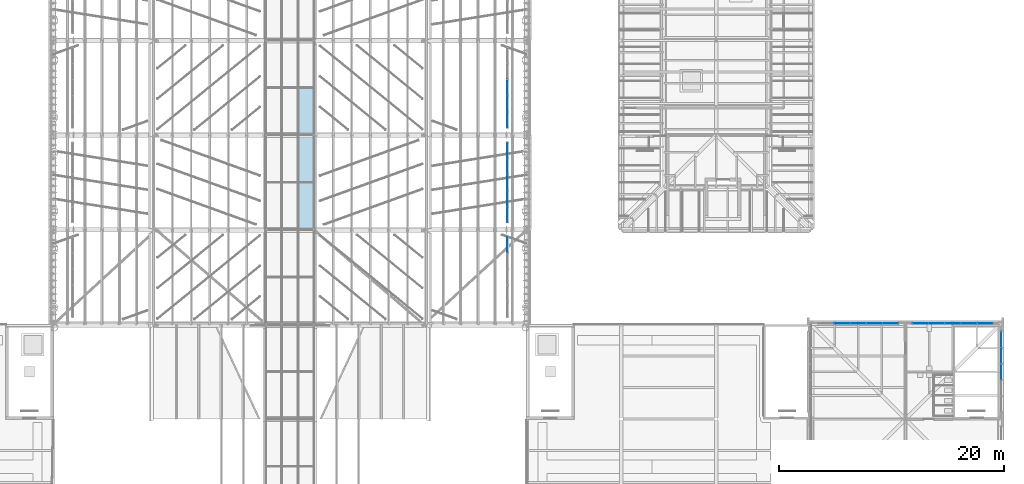
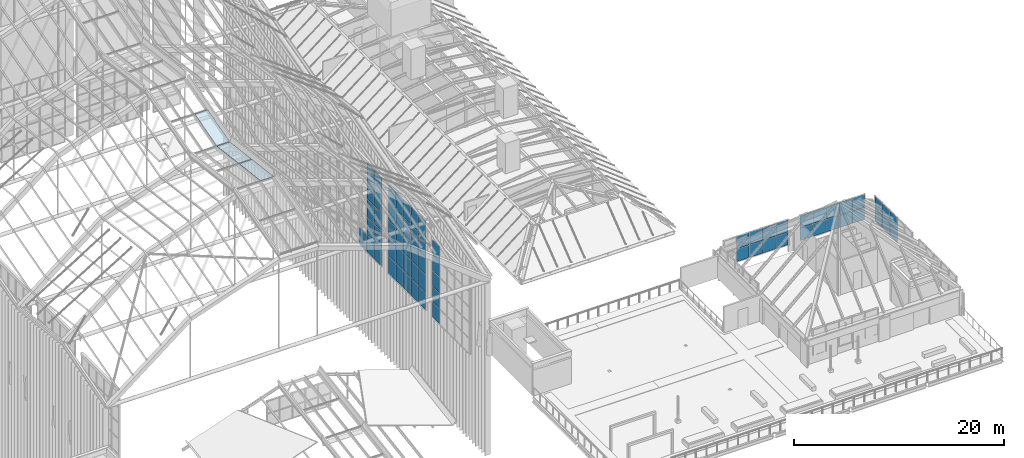
# One storey, part 74 of 126: 68 plates, 6 elements without a shape of their own.
"""IFC4 building model written with IfcOpenShell, lengths in metres."""

from ifc_helpers import new_model, si_unit, direction, frame, origin, origin_2d, place, context, subcontext, project, spatial, polyline, rectangle, outline, extrude, material, layer, layer_set, type_object, element, aggregate, save


model = new_model("IFC4")

# Units and contexts
model_context = context("Model", 3, precision=1e-05, world=origin(), true_north=direction((0.0, 1.0)))
body_context = subcontext(model_context, "Body", "Model", "MODEL_VIEW")
ifc_project = project(units=[si_unit("LENGTHUNIT", "METRE"), si_unit("AREAUNIT", "SQUARE_METRE"), si_unit("VOLUMEUNIT", "CUBIC_METRE"), si_unit("PLANEANGLEUNIT", "RADIAN"), si_unit("MASSUNIT", "GRAM", prefix="KILO")], contexts=[model_context])

# Site, building, storey
site_placement = place(None, origin())
site = spatial("IfcSite", under=ifc_project, at=site_placement, CompositionType="ELEMENT")
building_placement = place(site_placement, origin())
building = spatial("IfcBuilding", under=site, at=building_placement, Name="Sava Quay Ferry Terminal", CompositionType="ELEMENT")
storey_placement = place(building_placement, frame((0.0, 0.0, 15.0)))
storey = spatial("IfcBuildingStorey", under=building, at=storey_placement, Name="L03", CompositionType="ELEMENT", Elevation=15.0)

# Curtain wall, plates
ifc_material_1 = material(Name="Aluminium and glass curtain wall, double low-e glazed", Category="aluminium")
curtain_wall_type = type_object("IfcCurtainWallType", Name="Curtain wall CW-F flank", PredefinedType="NOTDEFINED", material=ifc_material_1)
curtain_wall_1_placement = place(storey_placement, origin())
curtain_wall_1 = element("IfcCurtainWall", 1, at=curtain_wall_1_placement, inside=storey, type_object=curtain_wall_type, Name="Curtain wall D-E L03 bay 1", PredefinedType="NOTDEFINED")
ifc_material_2 = material(Name="Laminated glass, double low-e glazed unit", Category="glass")
ifc_layer_1 = layer(ifc_material_2, 0.028076171875)
ifc_layer_set_1 = layer_set([ifc_layer_1], Name="Laminated glass, double low-e glazed unit")
plate_type_1 = type_object("IfcPlateType", Name="Glass panel 28 double low-e", PredefinedType="CURTAIN_PANEL", material=ifc_layer_set_1)
plate_1_placement = place(storey_placement, frame((82.27490234375, 57.465087890625, 0.050048828125), z_axis=(0.0, 0.0, 1.0), x_axis=(0.0, 1.0, 0.0)))
plate_1 = element("IfcPlate", 2, at=plate_1_placement, type_object=plate_type_1, Name="CW39 panel 5.1", PredefinedType="CURTAIN_PANEL", context=body_context, shape_type="SweptSolid", body=[
    extrude(rectangle(XDim=1.35009765625, YDim=0.028076171875, at=origin_2d()), origin(), (0.0, 0.0, 1.0), 1.7451171875),
])
plate_2_placement = place(storey_placement, frame((82.27490234375, 57.465087890625, 1.844970703125), z_axis=(0.0, 0.0, 1.0), x_axis=(0.0, 1.0, 0.0)))
plate_2 = element("IfcPlate", 3, at=plate_2_placement, type_object=plate_type_1, Name="CW39 panel 5.2", PredefinedType="CURTAIN_PANEL", context=body_context, shape_type="SweptSolid", body=[
    extrude(rectangle(XDim=1.35009765625, YDim=0.028076171875, at=origin_2d()), origin(), (0.0, 0.0, 1.0), 1.77001953125),
])
plate_3_placement = place(storey_placement, frame((82.27490234375, 57.465087890625, 3.6650390625), z_axis=(0.0, 0.0, 1.0), x_axis=(0.0, 1.0, 0.0)))
plate_3 = element("IfcPlate", 4, at=plate_3_placement, type_object=plate_type_1, Name="CW39 panel 5.3", PredefinedType="CURTAIN_PANEL", context=body_context, shape_type="SweptSolid", body=[
    extrude(rectangle(XDim=1.35009765625, YDim=0.028076171875, at=origin_2d()), origin(), (0.0, 0.0, 1.0), 1.77001953125),
])
plate_4_placement = place(storey_placement, frame((82.27490234375, 57.465087890625, 5.485107421875), z_axis=(0.0, 0.0, 1.0), x_axis=(0.0, 1.0, 0.0)))
plate_4 = element("IfcPlate", 5, at=plate_4_placement, type_object=plate_type_1, Name="CW39 panel 5.4", PredefinedType="CURTAIN_PANEL", context=body_context, shape_type="SweptSolid", body=[
    extrude(rectangle(XDim=1.35009765625, YDim=0.028076171875, at=origin_2d()), origin(), (0.0, 0.0, 1.0), 1.77001953125),
])
plate_5_placement = place(storey_placement, frame((82.27490234375, 57.465087890625, 7.304931640625), z_axis=(0.0, 0.0, 1.0), x_axis=(0.0, 1.0, 0.0)))
plate_5 = element("IfcPlate", 6, at=plate_5_placement, type_object=plate_type_1, Name="CW39 panel 5.5", PredefinedType="CURTAIN_PANEL", context=body_context, shape_type="SweptSolid", body=[
    extrude(rectangle(XDim=1.35009765625, YDim=0.028076171875, at=origin_2d()), origin(), (0.0, 0.0, 1.0), 1.7451171875),
])
aggregate(curtain_wall_1, [plate_1, plate_2, plate_3, plate_4, plate_5])

curtain_wall_2_placement = place(storey_placement, origin())
curtain_wall_2 = element("IfcCurtainWall", 7, at=curtain_wall_2_placement, inside=storey, type_object=curtain_wall_type, Name="Curtain wall D-E L03 bay 2", PredefinedType="NOTDEFINED")
plate_6_placement = place(storey_placement, frame((82.27490234375, 60.135009765625, 0.050048828125), z_axis=(0.0, 0.0, 1.0), x_axis=(0.0, 1.0, 0.0)))
plate_6 = element("IfcPlate", 8, at=plate_6_placement, type_object=plate_type_1, Name="CW43 panel 1.1", PredefinedType="CURTAIN_PANEL", context=body_context, shape_type="SweptSolid", body=[
    extrude(rectangle(XDim=1.35009765625, YDim=0.028076171875, at=origin_2d()), origin(), (0.0, 0.0, 1.0), 2.0048828125),
])
plate_7_placement = place(storey_placement, frame((82.27490234375, 60.135009765625, 2.10498046875), z_axis=(0.0, 0.0, 1.0), x_axis=(0.0, 1.0, 0.0)))
plate_7 = element("IfcPlate", 9, at=plate_7_placement, type_object=plate_type_1, Name="CW43 panel 1.2", PredefinedType="CURTAIN_PANEL", context=body_context, shape_type="SweptSolid", body=[
    extrude(rectangle(XDim=1.35009765625, YDim=0.028076171875, at=origin_2d()), origin(), (0.0, 0.0, 1.0), 2.030029296875),
])
plate_8_placement = place(storey_placement, frame((82.27490234375, 60.135009765625, 4.18505859375), z_axis=(0.0, 0.0, 1.0), x_axis=(0.0, 1.0, 0.0)))
plate_8 = element("IfcPlate", 10, at=plate_8_placement, type_object=plate_type_1, Name="CW43 panel 1.3", PredefinedType="CURTAIN_PANEL", context=body_context, shape_type="SweptSolid", body=[
    extrude(rectangle(XDim=1.35009765625, YDim=0.028076171875, at=origin_2d()), origin(), (0.0, 0.0, 1.0), 2.030029296875),
])
plate_9_placement = place(storey_placement, frame((82.27490234375, 60.135009765625, 6.26513671875), z_axis=(0.0, 0.0, 1.0), x_axis=(0.0, 1.0, 0.0)))
plate_9 = element("IfcPlate", 11, at=plate_9_placement, type_object=plate_type_1, Name="CW43 panel 1.4", PredefinedType="CURTAIN_PANEL", context=body_context, shape_type="SweptSolid", body=[
    extrude(rectangle(XDim=1.35009765625, YDim=0.028076171875, at=origin_2d()), origin(), (0.0, 0.0, 1.0), 2.030029296875),
])
plate_10_placement = place(storey_placement, frame((82.27490234375, 60.135009765625, 8.344970703125), z_axis=(0.0, 0.0, 1.0), x_axis=(0.0, 1.0, 0.0)))
plate_10 = element("IfcPlate", 12, at=plate_10_placement, type_object=plate_type_1, Name="CW43 panel 1.5", PredefinedType="CURTAIN_PANEL", context=body_context, shape_type="SweptSolid", body=[
    extrude(rectangle(XDim=1.35009765625, YDim=0.028076171875, at=origin_2d()), origin(), (0.0, 0.0, 1.0), 2.0048828125),
])
plate_11_placement = place(storey_placement, frame((82.27490234375, 61.56005859375, 0.050048828125), z_axis=(0.0, 0.0, 1.0), x_axis=(0.0, 1.0, 0.0)))
plate_11 = element("IfcPlate", 13, at=plate_11_placement, type_object=plate_type_1, Name="CW43 panel 2.1", PredefinedType="CURTAIN_PANEL", context=body_context, shape_type="SweptSolid", body=[
    extrude(rectangle(XDim=1.3798828125, YDim=0.028076171875, at=origin_2d()), origin(), (0.0, 0.0, 1.0), 2.0048828125),
])
plate_12_placement = place(storey_placement, frame((82.27490234375, 61.56005859375, 2.10498046875), z_axis=(0.0, 0.0, 1.0), x_axis=(0.0, 1.0, 0.0)))
plate_12 = element("IfcPlate", 14, at=plate_12_placement, type_object=plate_type_1, Name="CW43 panel 2.2", PredefinedType="CURTAIN_PANEL", context=body_context, shape_type="SweptSolid", body=[
    extrude(rectangle(XDim=1.3798828125, YDim=0.028076171875, at=origin_2d()), origin(), (0.0, 0.0, 1.0), 2.030029296875),
])
plate_13_placement = place(storey_placement, frame((82.27490234375, 61.56005859375, 4.18505859375), z_axis=(0.0, 0.0, 1.0), x_axis=(0.0, 1.0, 0.0)))
plate_13 = element("IfcPlate", 15, at=plate_13_placement, type_object=plate_type_1, Name="CW43 panel 2.3", PredefinedType="CURTAIN_PANEL", context=body_context, shape_type="SweptSolid", body=[
    extrude(rectangle(XDim=1.3798828125, YDim=0.028076171875, at=origin_2d()), origin(), (0.0, 0.0, 1.0), 2.030029296875),
])
plate_14_placement = place(storey_placement, frame((82.27490234375, 61.56005859375, 6.26513671875), z_axis=(0.0, 0.0, 1.0), x_axis=(0.0, 1.0, 0.0)))
plate_14 = element("IfcPlate", 16, at=plate_14_placement, type_object=plate_type_1, Name="CW43 panel 2.4", PredefinedType="CURTAIN_PANEL", context=body_context, shape_type="SweptSolid", body=[
    extrude(rectangle(XDim=1.3798828125, YDim=0.028076171875, at=origin_2d()), origin(), (0.0, 0.0, 1.0), 2.030029296875),
])
plate_15_placement = place(storey_placement, frame((82.27490234375, 61.56005859375, 8.344970703125), z_axis=(0.0, 0.0, 1.0), x_axis=(0.0, 1.0, 0.0)))
plate_15 = element("IfcPlate", 17, at=plate_15_placement, type_object=plate_type_1, Name="CW43 panel 2.5", PredefinedType="CURTAIN_PANEL", context=body_context, shape_type="SweptSolid", body=[
    extrude(rectangle(XDim=1.3798828125, YDim=0.028076171875, at=origin_2d()), origin(), (0.0, 0.0, 1.0), 2.0048828125),
])
plate_16_placement = place(storey_placement, frame((82.27490234375, 63.0, 0.050048828125), z_axis=(0.0, 0.0, 1.0), x_axis=(0.0, 1.0, 0.0)))
plate_16 = element("IfcPlate", 18, at=plate_16_placement, type_object=plate_type_1, Name="CW43 panel 3.1", PredefinedType="CURTAIN_PANEL", context=body_context, shape_type="SweptSolid", body=[
    extrude(rectangle(XDim=1.3798828125, YDim=0.028076171875, at=origin_2d()), origin(), (0.0, 0.0, 1.0), 2.0048828125),
])
plate_17_placement = place(storey_placement, frame((82.27490234375, 63.0, 2.10498046875), z_axis=(0.0, 0.0, 1.0), x_axis=(0.0, 1.0, 0.0)))
plate_17 = element("IfcPlate", 19, at=plate_17_placement, type_object=plate_type_1, Name="CW43 panel 3.2", PredefinedType="CURTAIN_PANEL", context=body_context, shape_type="SweptSolid", body=[
    extrude(rectangle(XDim=1.3798828125, YDim=0.028076171875, at=origin_2d()), origin(), (0.0, 0.0, 1.0), 2.030029296875),
])
plate_18_placement = place(storey_placement, frame((82.27490234375, 63.0, 4.18505859375), z_axis=(0.0, 0.0, 1.0), x_axis=(0.0, 1.0, 0.0)))
plate_18 = element("IfcPlate", 20, at=plate_18_placement, type_object=plate_type_1, Name="CW43 panel 3.3", PredefinedType="CURTAIN_PANEL", context=body_context, shape_type="SweptSolid", body=[
    extrude(rectangle(XDim=1.3798828125, YDim=0.028076171875, at=origin_2d()), origin(), (0.0, 0.0, 1.0), 2.030029296875),
])
plate_19_placement = place(storey_placement, frame((82.27490234375, 63.0, 6.26513671875), z_axis=(0.0, 0.0, 1.0), x_axis=(0.0, 1.0, 0.0)))
plate_19 = element("IfcPlate", 21, at=plate_19_placement, type_object=plate_type_1, Name="CW43 panel 3.4", PredefinedType="CURTAIN_PANEL", context=body_context, shape_type="SweptSolid", body=[
    extrude(rectangle(XDim=1.3798828125, YDim=0.028076171875, at=origin_2d()), origin(), (0.0, 0.0, 1.0), 2.030029296875),
])
plate_20_placement = place(storey_placement, frame((82.27490234375, 63.0, 8.344970703125), z_axis=(0.0, 0.0, 1.0), x_axis=(0.0, 1.0, 0.0)))
plate_20 = element("IfcPlate", 22, at=plate_20_placement, type_object=plate_type_1, Name="CW43 panel 3.5", PredefinedType="CURTAIN_PANEL", context=body_context, shape_type="SweptSolid", body=[
    extrude(rectangle(XDim=1.3798828125, YDim=0.028076171875, at=origin_2d()), origin(), (0.0, 0.0, 1.0), 2.0048828125),
])
plate_21_placement = place(storey_placement, frame((82.27490234375, 64.43994140625, 0.050048828125), z_axis=(0.0, 0.0, 1.0), x_axis=(0.0, 1.0, 0.0)))
plate_21 = element("IfcPlate", 23, at=plate_21_placement, type_object=plate_type_1, Name="CW43 panel 4.1", PredefinedType="CURTAIN_PANEL", context=body_context, shape_type="SweptSolid", body=[
    extrude(rectangle(XDim=1.3798828125, YDim=0.028076171875, at=origin_2d()), origin(), (0.0, 0.0, 1.0), 2.0048828125),
])
plate_22_placement = place(storey_placement, frame((82.27490234375, 64.43994140625, 2.10498046875), z_axis=(0.0, 0.0, 1.0), x_axis=(0.0, 1.0, 0.0)))
plate_22 = element("IfcPlate", 24, at=plate_22_placement, type_object=plate_type_1, Name="CW43 panel 4.2", PredefinedType="CURTAIN_PANEL", context=body_context, shape_type="SweptSolid", body=[
    extrude(rectangle(XDim=1.3798828125, YDim=0.028076171875, at=origin_2d()), origin(), (0.0, 0.0, 1.0), 2.030029296875),
])
plate_23_placement = place(storey_placement, frame((82.27490234375, 64.43994140625, 4.18505859375), z_axis=(0.0, 0.0, 1.0), x_axis=(0.0, 1.0, 0.0)))
plate_23 = element("IfcPlate", 25, at=plate_23_placement, type_object=plate_type_1, Name="CW43 panel 4.3", PredefinedType="CURTAIN_PANEL", context=body_context, shape_type="SweptSolid", body=[
    extrude(rectangle(XDim=1.3798828125, YDim=0.028076171875, at=origin_2d()), origin(), (0.0, 0.0, 1.0), 2.030029296875),
])
plate_24_placement = place(storey_placement, frame((82.27490234375, 64.43994140625, 6.26513671875), z_axis=(0.0, 0.0, 1.0), x_axis=(0.0, 1.0, 0.0)))
plate_24 = element("IfcPlate", 26, at=plate_24_placement, type_object=plate_type_1, Name="CW43 panel 4.4", PredefinedType="CURTAIN_PANEL", context=body_context, shape_type="SweptSolid", body=[
    extrude(rectangle(XDim=1.3798828125, YDim=0.028076171875, at=origin_2d()), origin(), (0.0, 0.0, 1.0), 2.030029296875),
])
plate_25_placement = place(storey_placement, frame((82.27490234375, 64.43994140625, 8.344970703125), z_axis=(0.0, 0.0, 1.0), x_axis=(0.0, 1.0, 0.0)))
plate_25 = element("IfcPlate", 27, at=plate_25_placement, type_object=plate_type_1, Name="CW43 panel 4.5", PredefinedType="CURTAIN_PANEL", context=body_context, shape_type="SweptSolid", body=[
    extrude(rectangle(XDim=1.3798828125, YDim=0.028076171875, at=origin_2d()), origin(), (0.0, 0.0, 1.0), 2.0048828125),
])
plate_26_placement = place(storey_placement, frame((82.27490234375, 65.864990234375, 0.050048828125), z_axis=(0.0, 0.0, 1.0), x_axis=(0.0, 1.0, 0.0)))
plate_26 = element("IfcPlate", 28, at=plate_26_placement, type_object=plate_type_1, Name="CW43 panel 5.1", PredefinedType="CURTAIN_PANEL", context=body_context, shape_type="SweptSolid", body=[
    extrude(rectangle(XDim=1.35009765625, YDim=0.028076171875, at=origin_2d()), origin(), (0.0, 0.0, 1.0), 2.0048828125),
])
plate_27_placement = place(storey_placement, frame((82.27490234375, 65.864990234375, 2.10498046875), z_axis=(0.0, 0.0, 1.0), x_axis=(0.0, 1.0, 0.0)))
plate_27 = element("IfcPlate", 29, at=plate_27_placement, type_object=plate_type_1, Name="CW43 panel 5.2", PredefinedType="CURTAIN_PANEL", context=body_context, shape_type="SweptSolid", body=[
    extrude(rectangle(XDim=1.35009765625, YDim=0.028076171875, at=origin_2d()), origin(), (0.0, 0.0, 1.0), 2.030029296875),
])
plate_28_placement = place(storey_placement, frame((82.27490234375, 65.864990234375, 4.18505859375), z_axis=(0.0, 0.0, 1.0), x_axis=(0.0, 1.0, 0.0)))
plate_28 = element("IfcPlate", 30, at=plate_28_placement, type_object=plate_type_1, Name="CW43 panel 5.3", PredefinedType="CURTAIN_PANEL", context=body_context, shape_type="SweptSolid", body=[
    extrude(rectangle(XDim=1.35009765625, YDim=0.028076171875, at=origin_2d()), origin(), (0.0, 0.0, 1.0), 2.030029296875),
])
plate_29_placement = place(storey_placement, frame((82.27490234375, 65.864990234375, 6.26513671875), z_axis=(0.0, 0.0, 1.0), x_axis=(0.0, 1.0, 0.0)))
plate_29 = element("IfcPlate", 31, at=plate_29_placement, type_object=plate_type_1, Name="CW43 panel 5.4", PredefinedType="CURTAIN_PANEL", context=body_context, shape_type="SweptSolid", body=[
    extrude(rectangle(XDim=1.35009765625, YDim=0.028076171875, at=origin_2d()), origin(), (0.0, 0.0, 1.0), 2.030029296875),
])
plate_30_placement = place(storey_placement, frame((82.27490234375, 65.864990234375, 8.344970703125), z_axis=(0.0, 0.0, 1.0), x_axis=(0.0, 1.0, 0.0)))
plate_30 = element("IfcPlate", 32, at=plate_30_placement, type_object=plate_type_1, Name="CW43 panel 5.5", PredefinedType="CURTAIN_PANEL", context=body_context, shape_type="SweptSolid", body=[
    extrude(rectangle(XDim=1.35009765625, YDim=0.028076171875, at=origin_2d()), origin(), (0.0, 0.0, 1.0), 2.0048828125),
])
aggregate(curtain_wall_2, [plate_6, plate_7, plate_8, plate_9, plate_10, plate_11, plate_12, plate_13, plate_14, plate_15, plate_16, plate_17, plate_18, plate_19, plate_20, plate_21, plate_22, plate_23, plate_24, plate_25, plate_26, plate_27, plate_28, plate_29, plate_30])

curtain_wall_3_placement = place(storey_placement, origin())
curtain_wall_3 = element("IfcCurtainWall", 33, at=curtain_wall_3_placement, inside=storey, type_object=curtain_wall_type, Name="Curtain wall D-E L03 bay 3", PredefinedType="NOTDEFINED")
plate_31_placement = place(storey_placement, frame((82.27490234375, 68.534912109375, 0.050048828125), z_axis=(0.0, 0.0, 1.0), x_axis=(0.0, 1.0, 0.0)))
plate_31 = element("IfcPlate", 34, at=plate_31_placement, type_object=plate_type_1, Name="CW47 panel 1.1", PredefinedType="CURTAIN_PANEL", context=body_context, shape_type="SweptSolid", body=[
    extrude(rectangle(XDim=1.35009765625, YDim=0.028076171875, at=origin_2d()), origin(), (0.0, 0.0, 1.0), 2.0048828125),
])
plate_32_placement = place(storey_placement, frame((82.27490234375, 68.534912109375, 2.10498046875), z_axis=(0.0, 0.0, 1.0), x_axis=(0.0, 1.0, 0.0)))
plate_32 = element("IfcPlate", 35, at=plate_32_placement, type_object=plate_type_1, Name="CW47 panel 1.2", PredefinedType="CURTAIN_PANEL", context=body_context, shape_type="SweptSolid", body=[
    extrude(rectangle(XDim=1.35009765625, YDim=0.028076171875, at=origin_2d()), origin(), (0.0, 0.0, 1.0), 2.030029296875),
])
plate_33_placement = place(storey_placement, frame((82.27490234375, 68.534912109375, 4.18505859375), z_axis=(0.0, 0.0, 1.0), x_axis=(0.0, 1.0, 0.0)))
plate_33 = element("IfcPlate", 36, at=plate_33_placement, type_object=plate_type_1, Name="CW47 panel 1.3", PredefinedType="CURTAIN_PANEL", context=body_context, shape_type="SweptSolid", body=[
    extrude(rectangle(XDim=1.35009765625, YDim=0.028076171875, at=origin_2d()), origin(), (0.0, 0.0, 1.0), 2.030029296875),
])
plate_34_placement = place(storey_placement, frame((82.27490234375, 68.534912109375, 6.26513671875), z_axis=(0.0, 0.0, 1.0), x_axis=(0.0, 1.0, 0.0)))
plate_34 = element("IfcPlate", 37, at=plate_34_placement, type_object=plate_type_1, Name="CW47 panel 1.4", PredefinedType="CURTAIN_PANEL", context=body_context, shape_type="SweptSolid", body=[
    extrude(rectangle(XDim=1.35009765625, YDim=0.028076171875, at=origin_2d()), origin(), (0.0, 0.0, 1.0), 2.030029296875),
])
plate_35_placement = place(storey_placement, frame((82.27490234375, 68.534912109375, 8.344970703125), z_axis=(0.0, 0.0, 1.0), x_axis=(0.0, 1.0, 0.0)))
plate_35 = element("IfcPlate", 38, at=plate_35_placement, type_object=plate_type_1, Name="CW47 panel 1.5", PredefinedType="CURTAIN_PANEL", context=body_context, shape_type="SweptSolid", body=[
    extrude(rectangle(XDim=1.35009765625, YDim=0.028076171875, at=origin_2d()), origin(), (0.0, 0.0, 1.0), 2.0048828125),
])
plate_36_placement = place(storey_placement, frame((82.27490234375, 69.9599609375, 0.050048828125), z_axis=(0.0, 0.0, 1.0), x_axis=(0.0, 1.0, 0.0)))
plate_36 = element("IfcPlate", 39, at=plate_36_placement, type_object=plate_type_1, Name="CW47 panel 2.1", PredefinedType="CURTAIN_PANEL", context=body_context, shape_type="SweptSolid", body=[
    extrude(rectangle(XDim=1.3798828125, YDim=0.028076171875, at=origin_2d()), origin(), (0.0, 0.0, 1.0), 2.0048828125),
])
plate_37_placement = place(storey_placement, frame((82.27490234375, 69.9599609375, 2.10498046875), z_axis=(0.0, 0.0, 1.0), x_axis=(0.0, 1.0, 0.0)))
plate_37 = element("IfcPlate", 40, at=plate_37_placement, type_object=plate_type_1, Name="CW47 panel 2.2", PredefinedType="CURTAIN_PANEL", context=body_context, shape_type="SweptSolid", body=[
    extrude(rectangle(XDim=1.3798828125, YDim=0.028076171875, at=origin_2d()), origin(), (0.0, 0.0, 1.0), 2.030029296875),
])
plate_38_placement = place(storey_placement, frame((82.27490234375, 69.9599609375, 4.18505859375), z_axis=(0.0, 0.0, 1.0), x_axis=(0.0, 1.0, 0.0)))
plate_38 = element("IfcPlate", 41, at=plate_38_placement, type_object=plate_type_1, Name="CW47 panel 2.3", PredefinedType="CURTAIN_PANEL", context=body_context, shape_type="SweptSolid", body=[
    extrude(rectangle(XDim=1.3798828125, YDim=0.028076171875, at=origin_2d()), origin(), (0.0, 0.0, 1.0), 2.030029296875),
])
plate_39_placement = place(storey_placement, frame((82.27490234375, 69.9599609375, 6.26513671875), z_axis=(0.0, 0.0, 1.0), x_axis=(0.0, 1.0, 0.0)))
plate_39 = element("IfcPlate", 42, at=plate_39_placement, type_object=plate_type_1, Name="CW47 panel 2.4", PredefinedType="CURTAIN_PANEL", context=body_context, shape_type="SweptSolid", body=[
    extrude(rectangle(XDim=1.3798828125, YDim=0.028076171875, at=origin_2d()), origin(), (0.0, 0.0, 1.0), 2.030029296875),
])
plate_40_placement = place(storey_placement, frame((82.27490234375, 69.9599609375, 8.344970703125), z_axis=(0.0, 0.0, 1.0), x_axis=(0.0, 1.0, 0.0)))
plate_40 = element("IfcPlate", 43, at=plate_40_placement, type_object=plate_type_1, Name="CW47 panel 2.5", PredefinedType="CURTAIN_PANEL", context=body_context, shape_type="SweptSolid", body=[
    extrude(rectangle(XDim=1.3798828125, YDim=0.028076171875, at=origin_2d()), origin(), (0.0, 0.0, 1.0), 2.0048828125),
])
plate_41_placement = place(storey_placement, frame((82.27490234375, 71.39990234375, 0.050048828125), z_axis=(0.0, 0.0, 1.0), x_axis=(0.0, 1.0, 0.0)))
plate_41 = element("IfcPlate", 44, at=plate_41_placement, type_object=plate_type_1, Name="CW47 panel 3.1", PredefinedType="CURTAIN_PANEL", context=body_context, shape_type="SweptSolid", body=[
    extrude(rectangle(XDim=1.3798828125, YDim=0.028076171875, at=origin_2d()), origin(), (0.0, 0.0, 1.0), 2.0048828125),
])
aggregate(curtain_wall_3, [plate_31, plate_32, plate_33, plate_34, plate_35, plate_36, plate_37, plate_38, plate_39, plate_40, plate_41])

curtain_wall_4_placement = place(storey_placement, origin())
curtain_wall_4 = element("IfcCurtainWall", 45, at=curtain_wall_4_placement, inside=storey, type_object=curtain_wall_type, Name="Curtain wall P-PAV-E L03 bay 2", PredefinedType="NOTDEFINED")
plate_42_placement = place(storey_placement, frame((126.0849609375, 46.199951171875, 0.9501953125), z_axis=(0.0, 0.0, 1.0), x_axis=(0.0, 1.0, 0.0)))
plate_42 = element("IfcPlate", 46, at=plate_42_placement, type_object=plate_type_1, Name="CW114 panel 3.1", PredefinedType="CURTAIN_PANEL", context=body_context, shape_type="SweptSolid", body=[
    extrude(rectangle(XDim=1.3798828125, YDim=0.028076171875, at=origin_2d()), origin(), (0.0, 0.0, 1.0), 1.425048828125),
])
plate_43_placement = place(storey_placement, frame((126.0849609375, 46.199951171875, 2.4248046875), z_axis=(0.0, 0.0, 1.0), x_axis=(0.0, 1.0, 0.0)))
plate_43 = element("IfcPlate", 47, at=plate_43_placement, type_object=plate_type_1, Name="CW114 panel 3.2", PredefinedType="CURTAIN_PANEL", context=body_context, shape_type="SweptSolid", body=[
    extrude(rectangle(XDim=1.3798828125, YDim=0.028076171875, at=origin_2d()), origin(), (0.0, 0.0, 1.0), 1.425048828125),
])
plate_44_placement = place(storey_placement, frame((126.0849609375, 47.639892578125, 0.9501953125), z_axis=(0.0, 0.0, 1.0), x_axis=(0.0, 1.0, 0.0)))
plate_44 = element("IfcPlate", 48, at=plate_44_placement, type_object=plate_type_1, Name="CW114 panel 4.1", PredefinedType="CURTAIN_PANEL", context=body_context, shape_type="SweptSolid", body=[
    extrude(rectangle(XDim=1.3798828125, YDim=0.028076171875, at=origin_2d()), origin(), (0.0, 0.0, 1.0), 1.425048828125),
])
plate_45_placement = place(storey_placement, frame((126.0849609375, 47.639892578125, 2.4248046875), z_axis=(0.0, 0.0, 1.0), x_axis=(0.0, 1.0, 0.0)))
plate_45 = element("IfcPlate", 49, at=plate_45_placement, type_object=plate_type_1, Name="CW114 panel 4.2", PredefinedType="CURTAIN_PANEL", context=body_context, shape_type="SweptSolid", body=[
    extrude(rectangle(XDim=1.3798828125, YDim=0.028076171875, at=origin_2d()), origin(), (0.0, 0.0, 1.0), 1.425048828125),
])
plate_46_placement = place(storey_placement, frame((126.0849609375, 49.06494140625, 0.9501953125), z_axis=(0.0, 0.0, 1.0), x_axis=(0.0, 1.0, 0.0)))
plate_46 = element("IfcPlate", 50, at=plate_46_placement, type_object=plate_type_1, Name="CW114 panel 5.1", PredefinedType="CURTAIN_PANEL", context=body_context, shape_type="SweptSolid", body=[
    extrude(rectangle(XDim=1.35009765625, YDim=0.028076171875, at=origin_2d()), origin(), (0.0, 0.0, 1.0), 1.425048828125),
])
plate_47_placement = place(storey_placement, frame((126.0849609375, 49.06494140625, 2.4248046875), z_axis=(0.0, 0.0, 1.0), x_axis=(0.0, 1.0, 0.0)))
plate_47 = element("IfcPlate", 51, at=plate_47_placement, type_object=plate_type_1, Name="CW114 panel 5.2", PredefinedType="CURTAIN_PANEL", context=body_context, shape_type="SweptSolid", body=[
    extrude(rectangle(XDim=1.35009765625, YDim=0.028076171875, at=origin_2d()), origin(), (0.0, 0.0, 1.0), 1.425048828125),
])
aggregate(curtain_wall_4, [plate_42, plate_43, plate_44, plate_45, plate_46, plate_47])

curtain_wall_5_placement = place(storey_placement, origin())
curtain_wall_5 = element("IfcCurtainWall", 52, at=curtain_wall_5_placement, inside=storey, type_object=curtain_wall_type, Name="Curtain wall P-PAV-N L03 bay 1", PredefinedType="NOTDEFINED")
plate_48_placement = place(storey_placement, frame((111.9599609375, 50.485107421875, 0.9501953125), z_axis=(0.0, 0.0, 1.0), x_axis=(1.0, 0.0, 0.0)))
plate_48 = element("IfcPlate", 53, at=plate_48_placement, type_object=plate_type_1, Name="CW115 panel 2.1", PredefinedType="CURTAIN_PANEL", context=body_context, shape_type="SweptSolid", body=[
    extrude(rectangle(XDim=1.3798828125, YDim=0.028076171875, at=origin_2d()), origin(), (0.0, 0.0, 1.0), 1.425048828125),
])
plate_49_placement = place(storey_placement, frame((111.9599609375, 50.485107421875, 2.4248046875), z_axis=(0.0, 0.0, 1.0), x_axis=(1.0, 0.0, 0.0)))
plate_49 = element("IfcPlate", 54, at=plate_49_placement, type_object=plate_type_1, Name="CW115 panel 2.2", PredefinedType="CURTAIN_PANEL", context=body_context, shape_type="SweptSolid", body=[
    extrude(rectangle(XDim=1.3798828125, YDim=0.028076171875, at=origin_2d()), origin(), (0.0, 0.0, 1.0), 1.425048828125),
])
plate_50_placement = place(storey_placement, frame((113.39990234375, 50.485107421875, 0.9501953125), z_axis=(0.0, 0.0, 1.0), x_axis=(1.0, 0.0, 0.0)))
plate_50 = element("IfcPlate", 55, at=plate_50_placement, type_object=plate_type_1, Name="CW115 panel 3.1", PredefinedType="CURTAIN_PANEL", context=body_context, shape_type="SweptSolid", body=[
    extrude(rectangle(XDim=1.3798828125, YDim=0.028076171875, at=origin_2d()), origin(), (0.0, 0.0, 1.0), 1.425048828125),
])
plate_51_placement = place(storey_placement, frame((113.39990234375, 50.485107421875, 2.4248046875), z_axis=(0.0, 0.0, 1.0), x_axis=(1.0, 0.0, 0.0)))
plate_51 = element("IfcPlate", 56, at=plate_51_placement, type_object=plate_type_1, Name="CW115 panel 3.2", PredefinedType="CURTAIN_PANEL", context=body_context, shape_type="SweptSolid", body=[
    extrude(rectangle(XDim=1.3798828125, YDim=0.028076171875, at=origin_2d()), origin(), (0.0, 0.0, 1.0), 1.425048828125),
])
plate_52_placement = place(storey_placement, frame((114.840087890625, 50.485107421875, 0.9501953125), z_axis=(0.0, 0.0, 1.0), x_axis=(1.0, 0.0, 0.0)))
plate_52 = element("IfcPlate", 57, at=plate_52_placement, type_object=plate_type_1, Name="CW115 panel 4.1", PredefinedType="CURTAIN_PANEL", context=body_context, shape_type="SweptSolid", body=[
    extrude(rectangle(XDim=1.3798828125, YDim=0.028076171875, at=origin_2d()), origin(), (0.0, 0.0, 1.0), 1.425048828125),
])
plate_53_placement = place(storey_placement, frame((114.840087890625, 50.485107421875, 2.4248046875), z_axis=(0.0, 0.0, 1.0), x_axis=(1.0, 0.0, 0.0)))
plate_53 = element("IfcPlate", 58, at=plate_53_placement, type_object=plate_type_1, Name="CW115 panel 4.2", PredefinedType="CURTAIN_PANEL", context=body_context, shape_type="SweptSolid", body=[
    extrude(rectangle(XDim=1.3798828125, YDim=0.028076171875, at=origin_2d()), origin(), (0.0, 0.0, 1.0), 1.425048828125),
])
plate_54_placement = place(storey_placement, frame((116.264892578125, 50.485107421875, 0.9501953125), z_axis=(0.0, 0.0, 1.0), x_axis=(1.0, 0.0, 0.0)))
plate_54 = element("IfcPlate", 59, at=plate_54_placement, type_object=plate_type_1, Name="CW115 panel 5.1", PredefinedType="CURTAIN_PANEL", context=body_context, shape_type="SweptSolid", body=[
    extrude(rectangle(XDim=1.35009765625, YDim=0.028076171875, at=origin_2d()), origin(), (0.0, 0.0, 1.0), 1.425048828125),
])
plate_55_placement = place(storey_placement, frame((116.264892578125, 50.485107421875, 2.4248046875), z_axis=(0.0, 0.0, 1.0), x_axis=(1.0, 0.0, 0.0)))
plate_55 = element("IfcPlate", 60, at=plate_55_placement, type_object=plate_type_1, Name="CW115 panel 5.2", PredefinedType="CURTAIN_PANEL", context=body_context, shape_type="SweptSolid", body=[
    extrude(rectangle(XDim=1.35009765625, YDim=0.028076171875, at=origin_2d()), origin(), (0.0, 0.0, 1.0), 1.425048828125),
])
aggregate(curtain_wall_5, [plate_48, plate_49, plate_50, plate_51, plate_52, plate_53, plate_54, plate_55])

curtain_wall_6_placement = place(storey_placement, origin())
curtain_wall_6 = element("IfcCurtainWall", 61, at=curtain_wall_6_placement, inside=storey, type_object=curtain_wall_type, Name="Curtain wall P-PAV-N L03 bay 2", PredefinedType="NOTDEFINED")
plate_56_placement = place(storey_placement, frame((118.93505859375, 50.485107421875, 0.9501953125), z_axis=(0.0, 0.0, 1.0), x_axis=(1.0, 0.0, 0.0)))
plate_56 = element("IfcPlate", 62, at=plate_56_placement, type_object=plate_type_1, Name="CW116 panel 1.1", PredefinedType="CURTAIN_PANEL", context=body_context, shape_type="SweptSolid", body=[
    extrude(rectangle(XDim=1.35009765625, YDim=0.028076171875, at=origin_2d()), origin(), (0.0, 0.0, 1.0), 1.425048828125),
])
plate_57_placement = place(storey_placement, frame((118.93505859375, 50.485107421875, 2.4248046875), z_axis=(0.0, 0.0, 1.0), x_axis=(1.0, 0.0, 0.0)))
plate_57 = element("IfcPlate", 63, at=plate_57_placement, type_object=plate_type_1, Name="CW116 panel 1.2", PredefinedType="CURTAIN_PANEL", context=body_context, shape_type="SweptSolid", body=[
    extrude(rectangle(XDim=1.35009765625, YDim=0.028076171875, at=origin_2d()), origin(), (0.0, 0.0, 1.0), 1.425048828125),
])
plate_58_placement = place(storey_placement, frame((120.360107421875, 50.485107421875, 0.9501953125), z_axis=(0.0, 0.0, 1.0), x_axis=(1.0, 0.0, 0.0)))
plate_58 = element("IfcPlate", 64, at=plate_58_placement, type_object=plate_type_1, Name="CW116 panel 2.1", PredefinedType="CURTAIN_PANEL", context=body_context, shape_type="SweptSolid", body=[
    extrude(rectangle(XDim=1.3798828125, YDim=0.028076171875, at=origin_2d()), origin(), (0.0, 0.0, 1.0), 1.425048828125),
])
plate_59_placement = place(storey_placement, frame((120.360107421875, 50.485107421875, 2.4248046875), z_axis=(0.0, 0.0, 1.0), x_axis=(1.0, 0.0, 0.0)))
plate_59 = element("IfcPlate", 65, at=plate_59_placement, type_object=plate_type_1, Name="CW116 panel 2.2", PredefinedType="CURTAIN_PANEL", context=body_context, shape_type="SweptSolid", body=[
    extrude(rectangle(XDim=1.3798828125, YDim=0.028076171875, at=origin_2d()), origin(), (0.0, 0.0, 1.0), 1.425048828125),
])
plate_60_placement = place(storey_placement, frame((121.800048828125, 50.485107421875, 0.9501953125), z_axis=(0.0, 0.0, 1.0), x_axis=(1.0, 0.0, 0.0)))
plate_60 = element("IfcPlate", 66, at=plate_60_placement, type_object=plate_type_1, Name="CW116 panel 3.1", PredefinedType="CURTAIN_PANEL", context=body_context, shape_type="SweptSolid", body=[
    extrude(rectangle(XDim=1.3798828125, YDim=0.028076171875, at=origin_2d()), origin(), (0.0, 0.0, 1.0), 1.425048828125),
])
plate_61_placement = place(storey_placement, frame((121.800048828125, 50.485107421875, 2.4248046875), z_axis=(0.0, 0.0, 1.0), x_axis=(1.0, 0.0, 0.0)))
plate_61 = element("IfcPlate", 67, at=plate_61_placement, type_object=plate_type_1, Name="CW116 panel 3.2", PredefinedType="CURTAIN_PANEL", context=body_context, shape_type="SweptSolid", body=[
    extrude(rectangle(XDim=1.3798828125, YDim=0.028076171875, at=origin_2d()), origin(), (0.0, 0.0, 1.0), 1.425048828125),
])
plate_62_placement = place(storey_placement, frame((123.239990234375, 50.485107421875, 0.9501953125), z_axis=(0.0, 0.0, 1.0), x_axis=(1.0, 0.0, 0.0)))
plate_62 = element("IfcPlate", 68, at=plate_62_placement, type_object=plate_type_1, Name="CW116 panel 4.1", PredefinedType="CURTAIN_PANEL", context=body_context, shape_type="SweptSolid", body=[
    extrude(rectangle(XDim=1.3798828125, YDim=0.028076171875, at=origin_2d()), origin(), (0.0, 0.0, 1.0), 1.425048828125),
])
plate_63_placement = place(storey_placement, frame((123.239990234375, 50.485107421875, 2.4248046875), z_axis=(0.0, 0.0, 1.0), x_axis=(1.0, 0.0, 0.0)))
plate_63 = element("IfcPlate", 69, at=plate_63_placement, type_object=plate_type_1, Name="CW116 panel 4.2", PredefinedType="CURTAIN_PANEL", context=body_context, shape_type="SweptSolid", body=[
    extrude(rectangle(XDim=1.3798828125, YDim=0.028076171875, at=origin_2d()), origin(), (0.0, 0.0, 1.0), 1.425048828125),
])
plate_64_placement = place(storey_placement, frame((124.6650390625, 50.485107421875, 0.9501953125), z_axis=(0.0, 0.0, 1.0), x_axis=(1.0, 0.0, 0.0)))
plate_64 = element("IfcPlate", 70, at=plate_64_placement, type_object=plate_type_1, Name="CW116 panel 5.1", PredefinedType="CURTAIN_PANEL", context=body_context, shape_type="SweptSolid", body=[
    extrude(rectangle(XDim=1.35009765625, YDim=0.028076171875, at=origin_2d()), origin(), (0.0, 0.0, 1.0), 1.425048828125),
])
plate_65_placement = place(storey_placement, frame((124.6650390625, 50.485107421875, 2.4248046875), z_axis=(0.0, 0.0, 1.0), x_axis=(1.0, 0.0, 0.0)))
plate_65 = element("IfcPlate", 71, at=plate_65_placement, type_object=plate_type_1, Name="CW116 panel 5.2", PredefinedType="CURTAIN_PANEL", context=body_context, shape_type="SweptSolid", body=[
    extrude(rectangle(XDim=1.35009765625, YDim=0.028076171875, at=origin_2d()), origin(), (0.0, 0.0, 1.0), 1.425048828125),
])
aggregate(curtain_wall_6, [plate_56, plate_57, plate_58, plate_59, plate_60, plate_61, plate_62, plate_63, plate_64, plate_65])

# Plates
ifc_material_3 = material(Name="Laminated glass", Category="glass")
ifc_layer_2 = layer(ifc_material_3, 0.0400390625)
ifc_layer_set_2 = layer_set([ifc_layer_2], Name="Laminated glass")
plate_type_2 = type_object("IfcPlateType", Name="Skylight glass 40", PredefinedType="SHEET", material=ifc_layer_set_2)
plate_66_placement = place(storey_placement, frame((63.757080078125, 58.820068359375, 21.927001953125), z_axis=(0.0, 0.123239026143, 0.992377016277), x_axis=(0.0, 0.992377016277, -0.123239026143)))
element("IfcPlate", 72, at=plate_66_placement, inside=storey, type_object=plate_type_2, Name="Departure hall skylight glass D-B1-F2-K20", PredefinedType="SHEET", context=body_context, shape_type="SweptSolid", body=[
    extrude(outline(polyline([(0.0, 0.0), (4.19186664054359, 0.0), (4.19186664054359, -1.434326171875), (0.0, -1.434326171875), (0.0, 0.0)])), origin(), (0.0, 0.0, -1.0), 0.0400390625),
])
plate_67_placement = place(storey_placement, frame((63.757080078125, 63.02001953125, 21.4052734375), z_axis=(0.0, 0.123181668583, 0.992384137582), x_axis=(0.0, 0.992384137582, -0.123181668583)))
element("IfcPlate", 73, at=plate_67_placement, inside=storey, type_object=plate_type_2, Name="Departure hall skylight glass D-B1-F2-K21", PredefinedType="SHEET", context=body_context, shape_type="SweptSolid", body=[
    extrude(outline(polyline([(0.0, 0.0), (4.191836559892353, 0.0), (4.191836559892353, -1.4343261718750002), (0.0, -1.4343261718750002), (0.0, 0.0)])), origin(), (0.0, 0.0, -1.0), 0.0400390625),
])
plate_68_placement = place(storey_placement, frame((63.756103515625, 67.219970703125, 20.91259765625), z_axis=(0.0, -0.270210443642, 0.962801285908), x_axis=(0.0, 0.962801285908, 0.270210443642)))
element("IfcPlate", 74, at=plate_68_placement, inside=storey, type_object=plate_type_2, Name="Departure hall skylight glass D-B2-F2-K20", PredefinedType="SHEET", context=body_context, shape_type="SweptSolid", body=[
    extrude(outline(polyline([(0.0, 0.0), (4.32063414357632, 0.0), (4.32063414357632, -1.43212890625), (0.0, -1.43212890625), (0.0, 0.0)])), origin(), (0.0, 0.0, -1.0), 0.0400390625),
])

save(model, "model.ifc")
